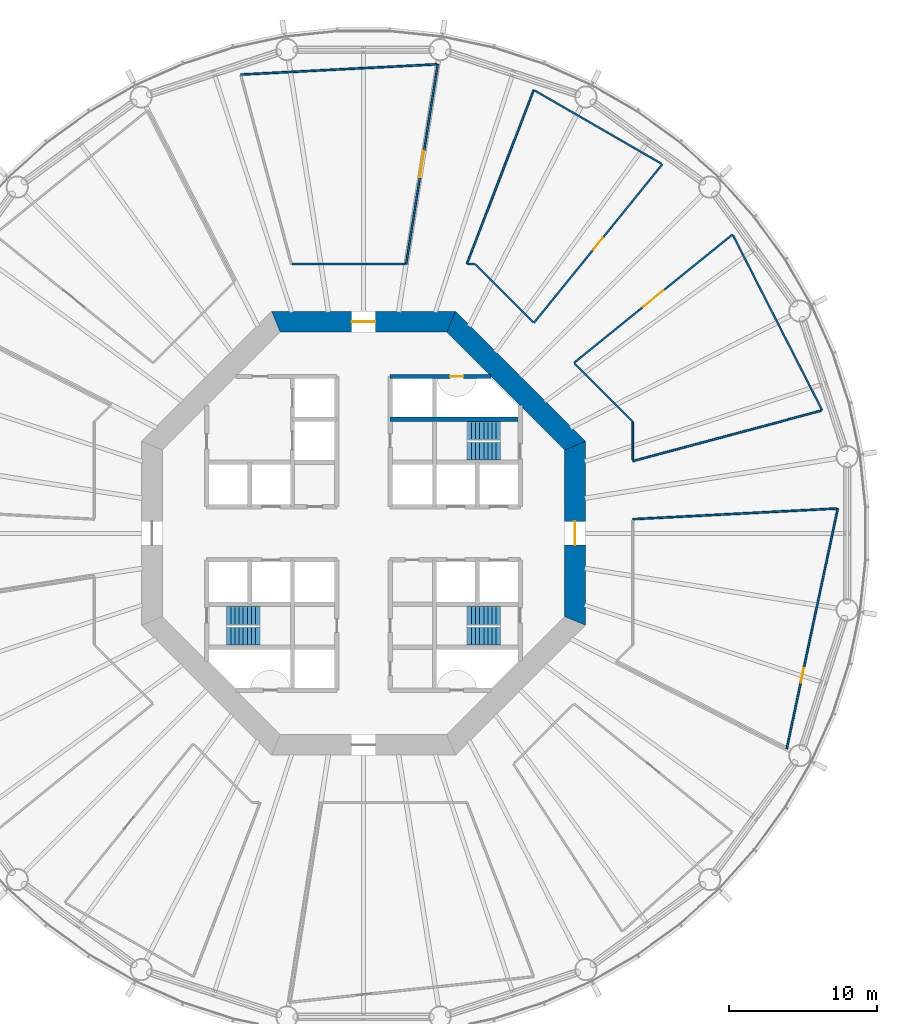
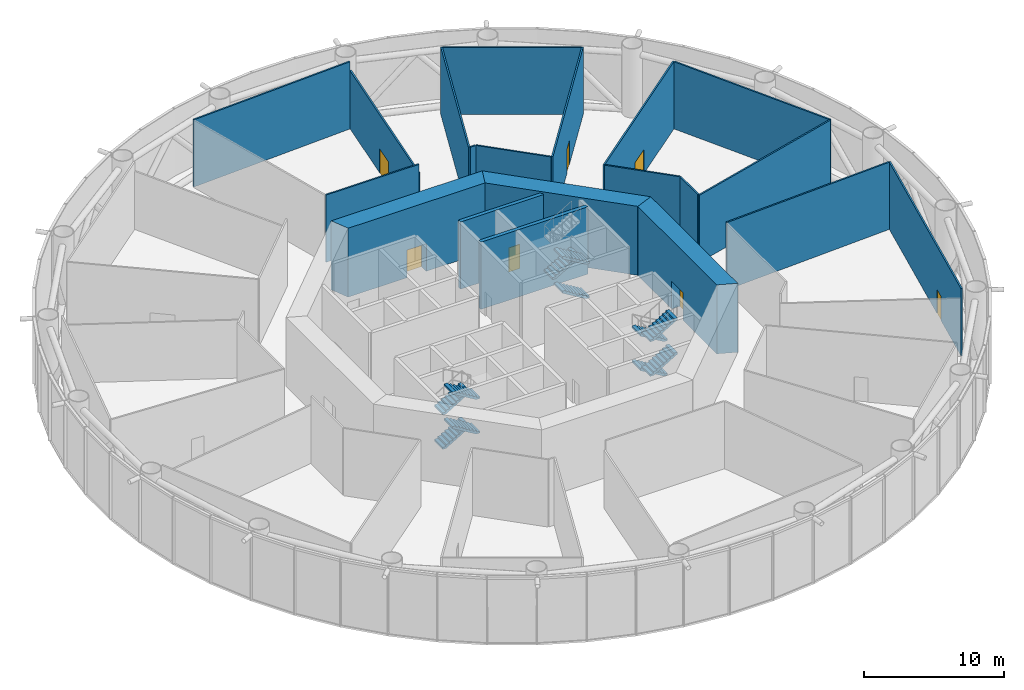
# One storey, part 6 of 14: 20 walls, 11 stair flights, 7 doors, 7 openings, 3 elements without a shape of their own.
"""IFC4 building model written with IfcOpenShell, lengths in metres."""

from ifc_helpers import new_model, si_unit, direction, frame, frame_2d, origin, place, context, subcontext, project, spatial, polyline, rectangle, outline, extrude, material, layer, layer_set, type_object, element, fill, aggregate, save


model = new_model("IFC4")

# Units and contexts
model_context = context("Model", 3, precision=1e-05, world=origin(), true_north=direction((0.0, 1.0)))
body_context = subcontext(model_context, "Body", "Model", "MODEL_VIEW")
ifc_project = project(units=[si_unit("LENGTHUNIT", "METRE"), si_unit("AREAUNIT", "SQUARE_METRE"), si_unit("VOLUMEUNIT", "CUBIC_METRE"), si_unit("PLANEANGLEUNIT", "RADIAN"), si_unit("MASSUNIT", "GRAM", prefix="KILO")], contexts=[model_context])

# Site, building, storey
site_placement = place(None, origin())
site = spatial("IfcSite", under=ifc_project, at=site_placement, CompositionType="ELEMENT")
building_placement = place(site_placement, origin())
building = spatial("IfcBuilding", under=site, at=building_placement, Name="Entoto Ring Tower", CompositionType="ELEMENT")
storey_placement = place(building_placement, frame((0.0, 0.0, 12.0)))
storey = spatial("IfcBuildingStorey", under=building, at=storey_placement, Name="L01", CompositionType="ELEMENT", Elevation=12.0)

# Wall
ifc_material_1 = material(Name="Concrete C40/50", Category="concrete")
ifc_layer_1 = layer(ifc_material_1, 0.300048828125)
ifc_layer_set_1 = layer_set([ifc_layer_1], Name="Concrete C40/50")
wall_type_1 = type_object("IfcWallType", Name="Core enclosure wall 300 mm reinforced concrete", PredefinedType="SOLIDWALL", material=ifc_layer_set_1)
wall_1_placement = place(storey_placement, frame((91.800048828125, 87.699951171875, 0.0), z_axis=(0.0, 0.0, 1.0), x_axis=(1.0, 0.0, 0.0)))
element("IfcWall", 1, at=wall_1_placement, inside=storey, type_object=wall_type_1, Name="wall-L01-030", PredefinedType="SOLIDWALL", context=body_context, shape_type="SweptSolid", body=[
    extrude(rectangle(XDim=8.800048828125, YDim=0.300048828125, at=frame_2d((4.39990234375, 0.0))), origin(), (0.0, 0.0, 1.0), 5.85009765625),
])

# Wall, opening, door
wall_2_placement = place(storey_placement, frame((91.800048828125, 90.60009765625, 0.0), z_axis=(0.0, 0.0, 1.0), x_axis=(1.0, 0.0, 0.0)))
wall_2 = element("IfcWall", 2, at=wall_2_placement, inside=storey, type_object=wall_type_1, Name="wall-L01-032", PredefinedType="SOLIDWALL", context=body_context, shape_type="SweptSolid", body=[
    extrude(rectangle(XDim=6.833251953125, YDim=0.300048828125, at=frame_2d((3.41650390625, 0.0))), origin(), (0.0, 0.0, 1.0), 5.85009765625),
])
opening_1_placement = place(wall_2_placement, frame((4.050048828125, 0.0, 0.0)))
opening_1 = element("IfcOpeningElement", 3, at=opening_1_placement, cuts=wall_2, Name="Opening K-20", PredefinedType="OPENING", context=body_context, shape_type="SweptSolid", body=[
    extrude(rectangle(XDim=0.89990234375, YDim=2.10009765625, at=frame_2d((0.449951171875, 1.050048828125))), frame((0.0, 0.16015625, 0.0), z_axis=(0.0, -1.0, 0.0), x_axis=(1.0, 0.0, 0.0)), (0.0, 0.0, 1.0), 0.320068359375),
])
ifc_material_2 = material(Name="Steel door leaf, fire rated", Category="steel")
ifc_layer_2 = layer(ifc_material_2, 0.050048828125)
ifc_layer_set_2 = layer_set([ifc_layer_2], Name="Steel door leaf, fire rated")
door_type_1 = type_object("IfcDoorType", Name="Riser door FD60 900 x 2100 single leaf", OperationType="NOTDEFINED", PredefinedType="DOOR", material=ifc_layer_set_2)
door_1_placement = place(opening_1_placement, frame((0.89990234375, 0.0, 0.0), z_axis=(0.0, 0.0, 1.0), x_axis=(-1.0, 0.0, 0.0)))
door_1 = element("IfcDoor", 4, at=door_1_placement, inside=storey, type_object=door_type_1, Name="Door K-20", OperationType="SINGLE_SWING_LEFT", OverallHeight=2.10009765625, OverallWidth=0.89990234375, PredefinedType="DOOR", context=body_context, shape_type="SweptSolid", body=[
    extrude(rectangle(XDim=0.89990234375, YDim=2.10009765625, at=frame_2d((0.449951171875, 1.050048828125))), frame((0.0, 0.02490234375, 0.0), z_axis=(0.0, -1.0, 0.0), x_axis=(1.0, 0.0, 0.0)), (0.0, 0.0, 1.0), 0.050048828125),
])
fill(opening_1, door_1)

ifc_material_3 = material(Name="Concrete C60/75", Category="concrete")
ifc_layer_3 = layer(ifc_material_3, 1.39990234375)
ifc_layer_set_3 = layer_set([ifc_layer_3], Name="Concrete C60/75")
wall_type_2 = type_object("IfcWallType", Name="Core shear wall 1400 mm reinforced concrete C60/75", PredefinedType="SHEAR", material=ifc_layer_set_3)
wall_3_placement = place(storey_placement, frame((104.300048828125, 74.07666015625, 0.0), z_axis=(0.0, 0.0, 1.0), x_axis=(0.0, 1.0, 0.0)))
wall_3 = element("IfcWall", 5, at=wall_3_placement, inside=storey, type_object=wall_type_2, Name="wall-L01-core-0", PredefinedType="SHEAR", context=body_context, shape_type="SweptSolid", body=[
    extrude(outline(polyline([(-0.2900390625, -0.699951171875), (12.13671875, -0.699951171875), (11.556640625, 0.699951171875), (0.2900390625, 0.699951171875), (-0.2900390625, -0.699951171875)])), origin(), (0.0, 0.0, 1.0), 6.0),
])
opening_2_placement = place(wall_3_placement, frame((5.123291015625, 0.0, 0.0)))
opening_2 = element("IfcOpeningElement", 6, at=opening_2_placement, cuts=wall_3, Name="Opening K-01", PredefinedType="OPENING", context=body_context, shape_type="SweptSolid", body=[
    extrude(rectangle(XDim=1.60009765625, YDim=2.39990234375, at=frame_2d((0.800048828125, 1.199951171875))), frame((0.0, 0.7099609375, 0.0), z_axis=(0.0, -1.0, 0.0), x_axis=(1.0, 0.0, 0.0)), (0.0, 0.0, 1.0), 1.419921875),
])
ifc_material_4 = material(Name="Steel door leaf, fire rated", Category="steel")
ifc_layer_4 = layer(ifc_material_4, 0.050048828125)
ifc_layer_set_4 = layer_set([ifc_layer_4], Name="Steel door leaf, fire rated")
door_type_2 = type_object("IfcDoorType", Name="Entrance door FD60 1600 x 2400 double leaf", OperationType="DOUBLE_DOOR_SINGLE_SWING", PredefinedType="DOOR", material=ifc_layer_set_4)
door_2_placement = place(opening_2_placement, origin())
door_2 = element("IfcDoor", 7, at=door_2_placement, inside=storey, type_object=door_type_2, Name="Entrance door K-01", OperationType="DOUBLE_DOOR_SINGLE_SWING", OverallHeight=2.39990234375, OverallWidth=1.60009765625, PredefinedType="DOOR", context=body_context, shape_type="SweptSolid", body=[
    extrude(rectangle(XDim=1.60009765625, YDim=2.39990234375, at=frame_2d((0.800048828125, 1.199951171875))), frame((0.0, 0.02490234375, 0.0), z_axis=(0.0, -1.0, 0.0), x_axis=(1.0, 0.0, 0.0)), (0.0, 0.0, 1.0), 0.050048828125),
])
fill(opening_2, door_2)

# Wall
wall_4_placement = place(storey_placement, frame((104.300048828125, 85.92333984375, 0.0), z_axis=(0.0, 0.0, 1.0), x_axis=(-0.707106781187, 0.707106781187, 0.0)))
element("IfcWall", 8, at=wall_4_placement, inside=storey, type_object=wall_type_2, Name="wall-L01-core-1", PredefinedType="SHEAR", context=body_context, shape_type="SweptSolid", body=[
    extrude(outline(polyline([(-0.2900390625, -0.699951171875), (12.136474609375, -0.699951171875), (11.556396484375, 0.699951171875), (0.2900390625, 0.699951171875), (-0.2900390625, -0.699951171875)])), origin(), (0.0, 0.0, 1.0), 6.0),
])

# Wall, opening, door
wall_5_placement = place(storey_placement, frame((95.92333984375, 94.300048828125, 0.0), z_axis=(0.0, 0.0, 1.0), x_axis=(-1.0, 0.0, 0.0)))
wall_5 = element("IfcWall", 9, at=wall_5_placement, inside=storey, type_object=wall_type_2, Name="wall-L01-core-2", PredefinedType="SHEAR", context=body_context, shape_type="SweptSolid", body=[
    extrude(outline(polyline([(-0.2900390625, -0.699951171875), (12.13671875, -0.699951171875), (11.556640625, 0.699951171875), (0.2900390625, 0.699951171875), (-0.2900390625, -0.699951171875)])), origin(), (0.0, 0.0, 1.0), 6.0),
])
opening_3_placement = place(wall_5_placement, frame((5.123291015625, 0.0, 0.0)))
opening_3 = element("IfcOpeningElement", 10, at=opening_3_placement, cuts=wall_5, Name="Opening K-02", PredefinedType="OPENING", context=body_context, shape_type="SweptSolid", body=[
    extrude(rectangle(XDim=1.60009765625, YDim=2.39990234375, at=frame_2d((0.800048828125, 1.199951171875))), frame((0.0, 0.7099609375, 0.0), z_axis=(0.0, -1.0, 0.0), x_axis=(1.0, 0.0, 0.0)), (0.0, 0.0, 1.0), 1.419921875),
])
door_3_placement = place(opening_3_placement, origin())
door_3 = element("IfcDoor", 11, at=door_3_placement, inside=storey, type_object=door_type_2, Name="Entrance door K-02", OperationType="DOUBLE_DOOR_SINGLE_SWING", OverallHeight=2.39990234375, OverallWidth=1.60009765625, PredefinedType="DOOR", context=body_context, shape_type="SweptSolid", body=[
    extrude(rectangle(XDim=1.60009765625, YDim=2.39990234375, at=frame_2d((0.800048828125, 1.199951171875))), frame((0.0, 0.02490234375, 0.0), z_axis=(0.0, -1.0, 0.0), x_axis=(1.0, 0.0, 0.0)), (0.0, 0.0, 1.0), 0.050048828125),
])
fill(opening_3, door_3)

ifc_material_5 = material(Name="Fire-resisting plasterboard on steel studs", Category="steel")
ifc_layer_5 = layer(ifc_material_5, 0.125)
ifc_layer_set_5 = layer_set([ifc_layer_5], Name="Fire-resisting plasterboard on steel studs")
wall_type_3 = type_object("IfcWallType", Name="Corridor wall 125 mm one-hour plasterboard on steel studs", PredefinedType="PARTITIONING", material=ifc_layer_set_5)
wall_6_placement = place(storey_placement, frame((118.601318359375, 65.427001953125, 0.0), z_axis=(0.0, 0.0, 1.0), x_axis=(0.207907256608, 0.978148543244, 0.0)))
wall_6 = element("IfcWall", 12, at=wall_6_placement, inside=storey, type_object=wall_type_3, Name="partition-L01-002", PredefinedType="PARTITIONING", context=body_context, shape_type="SweptSolid", body=[
    extrude(rectangle(XDim=16.615966796875, YDim=0.125, at=frame_2d((8.30810546875, 0.0))), origin(), (0.0, 0.0, 1.0), 5.85009765625),
])
opening_4_placement = place(wall_6_placement, frame((4.5888671875, 0.0, 0.0)))
opening_4 = element("IfcOpeningElement", 13, at=opening_4_placement, cuts=wall_6, Name="Opening A01-D10", PredefinedType="OPENING", context=body_context, shape_type="SweptSolid", body=[
    extrude(rectangle(XDim=1.0, YDim=2.10009765625, at=frame_2d((0.5, 1.050048828125))), frame((0.0, 0.072509765625, 0.0), z_axis=(0.0, -1.0, 0.0), x_axis=(1.0, 0.0, 0.0)), (0.0, 0.0, 1.0), 0.14501953125),
])
ifc_material_6 = material(Name="Fire-resisting timber door set", Category="wood")
door_type_3 = type_object("IfcDoorType", Name="Door 1000 x 2100 single leaf FD30S fire door", OperationType="NOTDEFINED", PredefinedType="DOOR", material=ifc_material_6)
door_4_placement = place(opening_4_placement, origin())
door_4 = element("IfcDoor", 14, at=door_4_placement, inside=storey, type_object=door_type_3, Name="Door A01-D10", OperationType="SINGLE_SWING_LEFT", OverallHeight=2.10009765625, OverallWidth=1.0, PredefinedType="DOOR", context=body_context, shape_type="SweptSolid", body=[
    extrude(rectangle(XDim=1.0, YDim=2.10009765625, at=frame_2d((0.5, 1.050048828125))), frame((0.0, 0.02490234375, 0.0), z_axis=(0.0, -1.0, 0.0), x_axis=(1.0, 0.0, 0.0)), (0.0, 0.0, 1.0), 0.050048828125),
])
fill(opening_4, door_4)

# Wall
wall_7_placement = place(storey_placement, frame((108.199951171875, 80.953857421875, 0.0), z_axis=(0.0, 0.0, 1.0), x_axis=(0.998629490096, 0.052336808376, 0.0)))
element("IfcWall", 15, at=wall_7_placement, inside=storey, type_object=wall_type_3, Name="partition-L01-005", PredefinedType="PARTITIONING", context=body_context, shape_type="SweptSolid", body=[
    extrude(rectangle(XDim=13.793701171875, YDim=0.125, at=frame_2d((6.89697265625, 0.0))), origin(), (0.0, 0.0, 1.0), 5.85009765625),
])

# Wall, opening, door
wall_8_placement = place(storey_placement, frame((101.5166015625, 94.221923828125, 0.0), z_axis=(0.0, 0.0, 1.0), x_axis=(0.629326981236, 0.777140624783, 0.0)))
wall_8 = element("IfcWall", 16, at=wall_8_placement, inside=storey, type_object=wall_type_3, Name="partition-L01-009", PredefinedType="PARTITIONING", context=body_context, shape_type="SweptSolid", body=[
    extrude(rectangle(XDim=13.7998046875, YDim=0.125, at=frame_2d((6.89990234375, 0.0))), origin(), (0.0, 0.0, 1.0), 5.85009765625),
])
opening_5_placement = place(wall_8_placement, frame((6.39990234375, 0.0, 0.0)))
opening_5 = element("IfcOpeningElement", 17, at=opening_5_placement, cuts=wall_8, Name="Opening A01-D02", PredefinedType="OPENING", context=body_context, shape_type="SweptSolid", body=[
    extrude(rectangle(XDim=1.0, YDim=2.10009765625, at=frame_2d((0.5, 1.050048828125))), frame((0.0, 0.072509765625, 0.0), z_axis=(0.0, -1.0, 0.0), x_axis=(1.0, 0.0, 0.0)), (0.0, 0.0, 1.0), 0.14501953125),
])
door_5_placement = place(opening_5_placement, frame((1.0, 0.0, 0.0), z_axis=(0.0, 0.0, 1.0), x_axis=(-1.0, 0.0, 0.0)))
door_5 = element("IfcDoor", 18, at=door_5_placement, inside=storey, type_object=door_type_3, Name="Door A01-D02", OperationType="SINGLE_SWING_LEFT", OverallHeight=2.10009765625, OverallWidth=1.0, PredefinedType="DOOR", context=body_context, shape_type="SweptSolid", body=[
    extrude(rectangle(XDim=1.0, YDim=2.10009765625, at=frame_2d((0.5, 1.050048828125))), frame((0.0, 0.02490234375, 0.0), z_axis=(0.0, -1.0, 0.0), x_axis=(1.0, 0.0, 0.0)), (0.0, 0.0, 1.0), 0.050048828125),
])
fill(opening_5, door_5)

wall_9_placement = place(storey_placement, frame((104.221923828125, 91.5166015625, 0.0), z_axis=(0.0, 0.0, 1.0), x_axis=(0.777140624783, 0.629326981236, 0.0)))
wall_9 = element("IfcWall", 19, at=wall_9_placement, inside=storey, type_object=wall_type_3, Name="partition-L01-010", PredefinedType="PARTITIONING", context=body_context, shape_type="SweptSolid", body=[
    extrude(rectangle(XDim=13.7998046875, YDim=0.125, at=frame_2d((6.89990234375, 0.0))), origin(), (0.0, 0.0, 1.0), 5.85009765625),
])
opening_6_placement = place(wall_9_placement, frame((6.0, 0.0, 0.0)))
opening_6 = element("IfcOpeningElement", 20, at=opening_6_placement, cuts=wall_9, Name="Opening A01-D01", PredefinedType="OPENING", context=body_context, shape_type="SweptSolid", body=[
    extrude(rectangle(XDim=1.800048828125, YDim=2.10009765625, at=frame_2d((0.89990234375, 1.050048828125))), frame((0.0, 0.072509765625, 0.0), z_axis=(0.0, -1.0, 0.0), x_axis=(1.0, 0.0, 0.0)), (0.0, 0.0, 1.0), 0.14501953125),
])
ifc_material_7 = material(Name="Fire-resisting timber door set", Category="wood")
door_type_4 = type_object("IfcDoorType", Name="Door 1800 x 2100 double leaf FD30S fire door", OperationType="DOUBLE_DOOR_SINGLE_SWING", PredefinedType="DOOR", material=ifc_material_7)
door_6_placement = place(opening_6_placement, origin())
door_6 = element("IfcDoor", 21, at=door_6_placement, inside=storey, type_object=door_type_4, Name="Door A01-D01", OperationType="DOUBLE_DOOR_SINGLE_SWING", OverallHeight=2.10009765625, OverallWidth=1.800048828125, PredefinedType="DOOR", context=body_context, shape_type="SweptSolid", body=[
    extrude(rectangle(XDim=1.800048828125, YDim=2.10009765625, at=frame_2d((0.89990234375, 1.050048828125))), frame((0.0, 0.02490234375, 0.0), z_axis=(0.0, -1.0, 0.0), x_axis=(1.0, 0.0, 0.0)), (0.0, 0.0, 1.0), 0.050048828125),
])
fill(opening_6, door_6)

# Walls
wall_10_placement = place(storey_placement, frame((121.006103515625, 88.30810546875, 0.0), z_axis=(0.0, 0.0, 1.0), x_axis=(-0.453978142394, 0.891012820463, 0.0)))
element("IfcWall", 22, at=wall_10_placement, inside=storey, type_object=wall_type_3, Name="partition-L01-016", PredefinedType="PARTITIONING", context=body_context, shape_type="SweptSolid", body=[
    extrude(rectangle(XDim=13.270751953125, YDim=0.125, at=frame_2d((6.63525390625, 0.0))), origin(), (0.0, 0.0, 1.0), 5.85009765625),
])
wall_11_placement = place(storey_placement, frame((81.69189453125, 111.006103515625, 0.0), z_axis=(0.0, 0.0, 1.0), x_axis=(0.998629391953, 0.052338680989, 0.0)))
element("IfcWall", 23, at=wall_11_placement, inside=storey, type_object=wall_type_3, Name="partition-L01-018", PredefinedType="PARTITIONING", context=body_context, shape_type="SweptSolid", body=[
    extrude(rectangle(XDim=13.27099609375, YDim=0.125, at=frame_2d((6.635498046875, 0.0))), origin(), (0.0, 0.0, 1.0), 5.85009765625),
])
wall_12_placement = place(storey_placement, frame((108.199951171875, 84.876708984375, 0.0), z_axis=(0.0, 0.0, 1.0), x_axis=(0.965928374817, 0.258809533678, 0.0)))
element("IfcWall", 24, at=wall_12_placement, inside=storey, type_object=wall_type_3, Name="partition-L01-021", PredefinedType="PARTITIONING", context=body_context, shape_type="SweptSolid", body=[
    extrude(rectangle(XDim=13.18115234375, YDim=0.125, at=frame_2d((6.590576171875, 0.0))), origin(), (0.0, 0.0, 1.0), 5.85009765625),
])
wall_13_placement = place(storey_placement, frame((96.986328125, 98.199951171875, 0.0), z_axis=(0.0, 0.0, 1.0), x_axis=(0.358367709556, 0.93358051862, 0.0)))
element("IfcWall", 25, at=wall_13_placement, inside=storey, type_object=wall_type_3, Name="partition-L01-026", PredefinedType="PARTITIONING", context=body_context, shape_type="SweptSolid", body=[
    extrude(rectangle(XDim=12.605224609375, YDim=0.125, at=frame_2d((6.302734375, 0.0))), origin(), (0.0, 0.0, 1.0), 5.85009765625),
])
wall_14_placement = place(storey_placement, frame((110.137939453125, 104.98291015625, 0.0), z_axis=(0.0, 0.0, 1.0), x_axis=(-0.86602578726, 0.499999335801, 0.0)))
element("IfcWall", 26, at=wall_14_placement, inside=storey, type_object=wall_type_3, Name="partition-L01-029", PredefinedType="PARTITIONING", context=body_context, shape_type="SweptSolid", body=[
    extrude(rectangle(XDim=9.89697265625, YDim=0.125, at=frame_2d((4.948486328125, 0.0))), origin(), (0.0, 0.0, 1.0), 5.85009765625),
])
wall_15_placement = place(storey_placement, frame((85.18359375, 98.199951171875, 0.0), z_axis=(0.0, 0.0, 1.0), x_axis=(1.0, 0.0, 0.0)))
element("IfcWall", 27, at=wall_15_placement, inside=storey, type_object=wall_type_3, Name="partition-L01-034", PredefinedType="PARTITIONING", context=body_context, shape_type="SweptSolid", body=[
    extrude(rectangle(XDim=7.63720703125, YDim=0.125, at=frame_2d((3.818603515625, 0.0))), origin(), (0.0, 0.0, 1.0), 5.85009765625),
])
for number, where, z_axis, x_axis, name in (
    (28, (101.4677734375, 94.27099609375, 0.0), (0.0, 0.0, 1.0), (-0.707106781187, 0.707106781187, 0.0), "partition-L01-039"),
    (29, (108.199951171875, 87.538818359375, 0.0), (0.0, 0.0, 1.0), (-0.707106781187, 0.707106781187, 0.0), "partition-L01-040"),
):
    element("IfcWall", number, at=place(storey_placement, frame(where, z_axis=z_axis, x_axis=x_axis)), inside=storey, type_object=wall_type_3, Name=name, PredefinedType="PARTITIONING", context=body_context, shape_type="SweptSolid", body=[
        extrude(rectangle(XDim=5.556396484375, YDim=0.125, at=frame_2d((2.7783203125, 0.0))), origin(), (0.0, 0.0, 1.0), 5.85009765625),
    ])
wall_16_placement = place(storey_placement, frame((108.199951171875, 84.9580078125, 0.0), z_axis=(0.0, 0.0, 1.0), x_axis=(0.0, 1.0, 0.0)))
element("IfcWall", 30, at=wall_16_placement, inside=storey, type_object=wall_type_3, Name="partition-L01-042", PredefinedType="PARTITIONING", context=body_context, shape_type="SweptSolid", body=[
    extrude(rectangle(XDim=2.53662109375, YDim=0.125, at=frame_2d((1.268310546875, 0.0))), origin(), (0.0, 0.0, 1.0), 5.85009765625),
])
wall_17_placement = place(storey_placement, frame((97.0771484375, 98.199951171875, 0.0), z_axis=(0.0, 0.0, 1.0), x_axis=(1.0, 0.0, 0.0)))
element("IfcWall", 31, at=wall_17_placement, inside=storey, type_object=wall_type_3, Name="partition-L01-046", PredefinedType="PARTITIONING", context=body_context, shape_type="SweptSolid", body=[
    extrude(rectangle(XDim=0.41748046875, YDim=0.125, at=frame_2d((0.208740234375, 0.0))), origin(), (0.0, 0.0, 1.0), 5.85009765625),
])

# Wall, opening, door
ifc_material_8 = material(Name="Fire-resisting plasterboard on steel studs", Category="steel")
ifc_layer_6 = layer(ifc_material_8, 0.125)
ifc_layer_set_6 = layer_set([ifc_layer_6], Name="Fire-resisting plasterboard on steel studs")
wall_type_4 = type_object("IfcWallType", Name="Corridor wall 125 mm one-hour plasterboard on steel studs, 5050 mm high", PredefinedType="PARTITIONING", material=ifc_layer_set_6)
wall_18_placement = place(storey_placement, frame((92.882568359375, 98.199951171875, 0.0), z_axis=(0.0, 0.0, 1.0), x_axis=(0.15643109107, 0.987688874974, 0.0)))
wall_18 = element("IfcWall", 32, at=wall_18_placement, inside=storey, type_object=wall_type_4, Name="partition-L01-014", PredefinedType="PARTITIONING", context=body_context, shape_type="SweptSolid", body=[
    extrude(rectangle(XDim=13.673095703125, YDim=0.125, at=frame_2d((6.83642578125, 0.0))), origin(), (0.0, 0.0, 1.0), 5.050048828125),
])
opening_7_placement = place(wall_18_placement, frame((5.9365234375, 0.0, 0.0)))
opening_7 = element("IfcOpeningElement", 33, at=opening_7_placement, cuts=wall_18, Name="Opening A01-D03", PredefinedType="OPENING", context=body_context, shape_type="SweptSolid", body=[
    extrude(rectangle(XDim=1.800048828125, YDim=2.10009765625, at=frame_2d((0.89990234375, 1.050048828125))), frame((0.0, 0.072509765625, 0.0), z_axis=(0.0, -1.0, 0.0), x_axis=(1.0, 0.0, 0.0)), (0.0, 0.0, 1.0), 0.14501953125),
])
door_7_placement = place(opening_7_placement, origin())
door_7 = element("IfcDoor", 34, at=door_7_placement, inside=storey, type_object=door_type_4, Name="Door A01-D03", OperationType="DOUBLE_DOOR_SINGLE_SWING", OverallHeight=2.10009765625, OverallWidth=1.800048828125, PredefinedType="DOOR", context=body_context, shape_type="SweptSolid", body=[
    extrude(rectangle(XDim=1.800048828125, YDim=2.10009765625, at=frame_2d((0.89990234375, 1.050048828125))), frame((0.0, 0.02490234375, 0.0), z_axis=(0.0, -1.0, 0.0), x_axis=(1.0, 0.0, 0.0)), (0.0, 0.0, 1.0), 0.050048828125),
])
fill(opening_7, door_7)

# Stair, stair flights
ifc_material_9 = material(Name="Concrete C40/50", Category="concrete")
stair_type = type_object("IfcStairType", Name="Exit stair 1200 mm dog-leg reinforced concrete", PredefinedType="HALF_TURN_STAIR", material=ifc_material_9)
stair_1_placement = place(storey_placement, origin())
stair_1 = element("IfcStair", 35, at=stair_1_placement, inside=storey, type_object=stair_type, Name="Exit stair 1", PredefinedType="HALF_TURN_STAIR")
ifc_material_10 = material(Name="Concrete C40/50", Category="concrete")
stair_flight_type = type_object("IfcStairFlightType", Name="Stair flight 1200 mm reinforced concrete", PredefinedType="STRAIGHT", material=ifc_material_10)
stair_flight_1_placement = place(storey_placement, frame((99.25, 85.550048828125, 0.0), z_axis=(0.0, 0.0, 1.0), x_axis=(-1.0, 0.0, 0.0)))
stair_flight_1 = element("IfcStairFlight", 36, at=stair_flight_1_placement, type_object=stair_flight_type, Name="ST1 flight 1", NumberOfRisers=9, NumberOfTreads=8, PredefinedType="STRAIGHT", RiserHeight=0.166666667, TreadLength=0.28, context=body_context, shape_type="SweptSolid", body=[
    extrude(outline(polyline([(0.0, 0.0), (0.0, 0.166748046875), (0.280029296875, 0.166748046875), (0.280029296875, 0.333251953125), (0.56005859375, 0.333251953125), (0.56005859375, 0.5), (0.840087890625, 0.5), (0.840087890625, 0.666748046875), (1.1201171875, 0.666748046875), (1.1201171875, 0.833251953125), (1.39990234375, 0.833251953125), (1.39990234375, 1.0), (1.679931640625, 1.0), (1.679931640625, 1.166748046875), (1.9599609375, 1.166748046875), (1.9599609375, 1.333251953125), (2.239990234375, 1.333251953125), (2.239990234375, 1.5), (2.239990234375, 1.158935546875), (0.29296875, 0.0), (0.0, 0.0)])), frame((0.0, 0.60009765625, 0.0), z_axis=(0.0, -1.0, 0.0), x_axis=(1.0, 0.0, 0.0)), (0.0, 0.0, 1.0), 1.199951171875),
])
stair_flight_2_placement = place(storey_placement, frame((97.010009765625, 86.949951171875, 1.5), z_axis=(0.0, 0.0, 1.0), x_axis=(1.0, 0.0, 0.0)))
stair_flight_2 = element("IfcStairFlight", 37, at=stair_flight_2_placement, type_object=stair_flight_type, Name="ST1 flight 2", NumberOfRisers=9, NumberOfTreads=8, PredefinedType="STRAIGHT", RiserHeight=0.166666667, TreadLength=0.28, context=body_context, shape_type="SweptSolid", body=[
    extrude(outline(polyline([(0.0, 0.0), (0.0, 0.166748046875), (0.280029296875, 0.166748046875), (0.280029296875, 0.333251953125), (0.56005859375, 0.333251953125), (0.56005859375, 0.5), (0.840087890625, 0.5), (0.840087890625, 0.666748046875), (1.1201171875, 0.666748046875), (1.1201171875, 0.833251953125), (1.39990234375, 0.833251953125), (1.39990234375, 1.0), (1.679931640625, 1.0), (1.679931640625, 1.166748046875), (1.9599609375, 1.166748046875), (1.9599609375, 1.333251953125), (2.239990234375, 1.333251953125), (2.239990234375, 1.5), (2.239990234375, 1.158935546875), (0.29296875, 0.0), (0.0, 0.0)])), frame((0.0, 0.60009765625, 0.0), z_axis=(0.0, -1.0, 0.0), x_axis=(1.0, 0.0, 0.0)), (0.0, 0.0, 1.0), 1.199951171875),
])
stair_flight_3_placement = place(storey_placement, frame((99.25, 85.550048828125, 3.0), z_axis=(0.0, 0.0, 1.0), x_axis=(-1.0, 0.0, 0.0)))
stair_flight_3 = element("IfcStairFlight", 38, at=stair_flight_3_placement, type_object=stair_flight_type, Name="ST1 flight 3", NumberOfRisers=9, NumberOfTreads=8, PredefinedType="STRAIGHT", RiserHeight=0.166666667, TreadLength=0.28, context=body_context, shape_type="SweptSolid", body=[
    extrude(outline(polyline([(0.0, 0.0), (0.0, 0.166748046875), (0.280029296875, 0.166748046875), (0.280029296875, 0.333251953125), (0.56005859375, 0.333251953125), (0.56005859375, 0.5), (0.840087890625, 0.5), (0.840087890625, 0.666748046875), (1.1201171875, 0.666748046875), (1.1201171875, 0.833251953125), (1.39990234375, 0.833251953125), (1.39990234375, 1.0), (1.679931640625, 1.0), (1.679931640625, 1.166748046875), (1.9599609375, 1.166748046875), (1.9599609375, 1.333251953125), (2.239990234375, 1.333251953125), (2.239990234375, 1.5), (2.239990234375, 1.158935546875), (0.29296875, 0.0), (0.0, 0.0)])), frame((0.0, 0.60009765625, 0.0), z_axis=(0.0, -1.0, 0.0), x_axis=(1.0, 0.0, 0.0)), (0.0, 0.0, 1.0), 1.199951171875),
])
aggregate(stair_1, [stair_flight_1, stair_flight_2, stair_flight_3])

stair_2_placement = place(storey_placement, origin())
stair_2 = element("IfcStair", 39, at=stair_2_placement, inside=storey, type_object=stair_type, Name="Exit stair 2", PredefinedType="HALF_TURN_STAIR")
stair_flight_4_placement = place(storey_placement, frame((80.75, 74.449951171875, 0.0), z_axis=(0.0, 0.0, 1.0), x_axis=(1.0, 0.0, 0.0)))
stair_flight_4 = element("IfcStairFlight", 40, at=stair_flight_4_placement, type_object=stair_flight_type, Name="ST2 flight 1", NumberOfRisers=9, NumberOfTreads=8, PredefinedType="STRAIGHT", RiserHeight=0.166666667, TreadLength=0.28, context=body_context, shape_type="SweptSolid", body=[
    extrude(outline(polyline([(0.0, 0.0), (0.0, 0.166748046875), (0.280029296875, 0.166748046875), (0.280029296875, 0.333251953125), (0.56005859375, 0.333251953125), (0.56005859375, 0.5), (0.840087890625, 0.5), (0.840087890625, 0.666748046875), (1.1201171875, 0.666748046875), (1.1201171875, 0.833251953125), (1.39990234375, 0.833251953125), (1.39990234375, 1.0), (1.679931640625, 1.0), (1.679931640625, 1.166748046875), (1.9599609375, 1.166748046875), (1.9599609375, 1.333251953125), (2.239990234375, 1.333251953125), (2.239990234375, 1.5), (2.239990234375, 1.158935546875), (0.29296875, 0.0), (0.0, 0.0)])), frame((0.0, 0.60009765625, 0.0), z_axis=(0.0, -1.0, 0.0), x_axis=(1.0, 0.0, 0.0)), (0.0, 0.0, 1.0), 1.199951171875),
])
stair_flight_5_placement = place(storey_placement, frame((82.989990234375, 73.050048828125, 1.5), z_axis=(0.0, 0.0, 1.0), x_axis=(-1.0, 0.0, 0.0)))
stair_flight_5 = element("IfcStairFlight", 41, at=stair_flight_5_placement, type_object=stair_flight_type, Name="ST2 flight 2", NumberOfRisers=9, NumberOfTreads=8, PredefinedType="STRAIGHT", RiserHeight=0.166666667, TreadLength=0.28, context=body_context, shape_type="SweptSolid", body=[
    extrude(outline(polyline([(0.0, 0.0), (0.0, 0.166748046875), (0.280029296875, 0.166748046875), (0.280029296875, 0.333251953125), (0.56005859375, 0.333251953125), (0.56005859375, 0.5), (0.840087890625, 0.5), (0.840087890625, 0.666748046875), (1.1201171875, 0.666748046875), (1.1201171875, 0.833251953125), (1.39990234375, 0.833251953125), (1.39990234375, 1.0), (1.679931640625, 1.0), (1.679931640625, 1.166748046875), (1.9599609375, 1.166748046875), (1.9599609375, 1.333251953125), (2.239990234375, 1.333251953125), (2.239990234375, 1.5), (2.239990234375, 1.158935546875), (0.29296875, 0.0), (0.0, 0.0)])), frame((0.0, 0.60009765625, 0.0), z_axis=(0.0, -1.0, 0.0), x_axis=(1.0, 0.0, 0.0)), (0.0, 0.0, 1.0), 1.199951171875),
])
stair_flight_6_placement = place(storey_placement, frame((80.75, 74.449951171875, 3.0), z_axis=(0.0, 0.0, 1.0), x_axis=(1.0, 0.0, 0.0)))
stair_flight_6 = element("IfcStairFlight", 42, at=stair_flight_6_placement, type_object=stair_flight_type, Name="ST2 flight 3", NumberOfRisers=9, NumberOfTreads=8, PredefinedType="STRAIGHT", RiserHeight=0.166666667, TreadLength=0.28, context=body_context, shape_type="SweptSolid", body=[
    extrude(outline(polyline([(0.0, 0.0), (0.0, 0.166748046875), (0.280029296875, 0.166748046875), (0.280029296875, 0.333251953125), (0.56005859375, 0.333251953125), (0.56005859375, 0.5), (0.840087890625, 0.5), (0.840087890625, 0.666748046875), (1.1201171875, 0.666748046875), (1.1201171875, 0.833251953125), (1.39990234375, 0.833251953125), (1.39990234375, 1.0), (1.679931640625, 1.0), (1.679931640625, 1.166748046875), (1.9599609375, 1.166748046875), (1.9599609375, 1.333251953125), (2.239990234375, 1.333251953125), (2.239990234375, 1.5), (2.239990234375, 1.158935546875), (0.29296875, 0.0), (0.0, 0.0)])), frame((0.0, 0.60009765625, 0.0), z_axis=(0.0, -1.0, 0.0), x_axis=(1.0, 0.0, 0.0)), (0.0, 0.0, 1.0), 1.199951171875),
])
stair_flight_7_placement = place(storey_placement, frame((82.989990234375, 73.050048828125, 4.5), z_axis=(0.0, 0.0, 1.0), x_axis=(-1.0, 0.0, 0.0)))
stair_flight_7 = element("IfcStairFlight", 43, at=stair_flight_7_placement, type_object=stair_flight_type, Name="ST2 flight 4", NumberOfRisers=9, NumberOfTreads=8, PredefinedType="STRAIGHT", RiserHeight=0.166666667, TreadLength=0.28, context=body_context, shape_type="SweptSolid", body=[
    extrude(outline(polyline([(0.0, 0.0), (0.0, 0.166748046875), (0.280029296875, 0.166748046875), (0.280029296875, 0.333251953125), (0.56005859375, 0.333251953125), (0.56005859375, 0.5), (0.840087890625, 0.5), (0.840087890625, 0.666748046875), (1.1201171875, 0.666748046875), (1.1201171875, 0.833251953125), (1.39990234375, 0.833251953125), (1.39990234375, 1.0), (1.679931640625, 1.0), (1.679931640625, 1.166748046875), (1.9599609375, 1.166748046875), (1.9599609375, 1.333251953125), (2.239990234375, 1.333251953125), (2.239990234375, 1.5), (2.239990234375, 1.158935546875), (0.29296875, 0.0), (0.0, 0.0)])), frame((0.0, 0.60009765625, 0.0), z_axis=(0.0, -1.0, 0.0), x_axis=(1.0, 0.0, 0.0)), (0.0, 0.0, 1.0), 1.199951171875),
])
aggregate(stair_2, [stair_flight_4, stair_flight_5, stair_flight_6, stair_flight_7])

stair_3_placement = place(storey_placement, origin())
stair_3 = element("IfcStair", 44, at=stair_3_placement, inside=storey, type_object=stair_type, Name="Exit stair 3", PredefinedType="HALF_TURN_STAIR")
stair_flight_8_placement = place(storey_placement, frame((99.25, 74.449951171875, 0.0), z_axis=(0.0, 0.0, 1.0), x_axis=(-1.0, 0.0, 0.0)))
stair_flight_8 = element("IfcStairFlight", 45, at=stair_flight_8_placement, type_object=stair_flight_type, Name="ST3 flight 1", NumberOfRisers=9, NumberOfTreads=8, PredefinedType="STRAIGHT", RiserHeight=0.166666667, TreadLength=0.28, context=body_context, shape_type="SweptSolid", body=[
    extrude(outline(polyline([(0.0, 0.0), (0.0, 0.166748046875), (0.280029296875, 0.166748046875), (0.280029296875, 0.333251953125), (0.56005859375, 0.333251953125), (0.56005859375, 0.5), (0.840087890625, 0.5), (0.840087890625, 0.666748046875), (1.1201171875, 0.666748046875), (1.1201171875, 0.833251953125), (1.39990234375, 0.833251953125), (1.39990234375, 1.0), (1.679931640625, 1.0), (1.679931640625, 1.166748046875), (1.9599609375, 1.166748046875), (1.9599609375, 1.333251953125), (2.239990234375, 1.333251953125), (2.239990234375, 1.5), (2.239990234375, 1.158935546875), (0.29296875, 0.0), (0.0, 0.0)])), frame((0.0, 0.60009765625, 0.0), z_axis=(0.0, -1.0, 0.0), x_axis=(1.0, 0.0, 0.0)), (0.0, 0.0, 1.0), 1.199951171875),
])
stair_flight_9_placement = place(storey_placement, frame((97.010009765625, 73.050048828125, 1.5), z_axis=(0.0, 0.0, 1.0), x_axis=(1.0, 0.0, 0.0)))
stair_flight_9 = element("IfcStairFlight", 46, at=stair_flight_9_placement, type_object=stair_flight_type, Name="ST3 flight 2", NumberOfRisers=9, NumberOfTreads=8, PredefinedType="STRAIGHT", RiserHeight=0.166666667, TreadLength=0.28, context=body_context, shape_type="SweptSolid", body=[
    extrude(outline(polyline([(0.0, 0.0), (0.0, 0.166748046875), (0.280029296875, 0.166748046875), (0.280029296875, 0.333251953125), (0.56005859375, 0.333251953125), (0.56005859375, 0.5), (0.840087890625, 0.5), (0.840087890625, 0.666748046875), (1.1201171875, 0.666748046875), (1.1201171875, 0.833251953125), (1.39990234375, 0.833251953125), (1.39990234375, 1.0), (1.679931640625, 1.0), (1.679931640625, 1.166748046875), (1.9599609375, 1.166748046875), (1.9599609375, 1.333251953125), (2.239990234375, 1.333251953125), (2.239990234375, 1.5), (2.239990234375, 1.158935546875), (0.29296875, 0.0), (0.0, 0.0)])), frame((0.0, 0.60009765625, 0.0), z_axis=(0.0, -1.0, 0.0), x_axis=(1.0, 0.0, 0.0)), (0.0, 0.0, 1.0), 1.199951171875),
])
stair_flight_10_placement = place(storey_placement, frame((99.25, 74.449951171875, 3.0), z_axis=(0.0, 0.0, 1.0), x_axis=(-1.0, 0.0, 0.0)))
stair_flight_10 = element("IfcStairFlight", 47, at=stair_flight_10_placement, type_object=stair_flight_type, Name="ST3 flight 3", NumberOfRisers=9, NumberOfTreads=8, PredefinedType="STRAIGHT", RiserHeight=0.166666667, TreadLength=0.28, context=body_context, shape_type="SweptSolid", body=[
    extrude(outline(polyline([(0.0, 0.0), (0.0, 0.166748046875), (0.280029296875, 0.166748046875), (0.280029296875, 0.333251953125), (0.56005859375, 0.333251953125), (0.56005859375, 0.5), (0.840087890625, 0.5), (0.840087890625, 0.666748046875), (1.1201171875, 0.666748046875), (1.1201171875, 0.833251953125), (1.39990234375, 0.833251953125), (1.39990234375, 1.0), (1.679931640625, 1.0), (1.679931640625, 1.166748046875), (1.9599609375, 1.166748046875), (1.9599609375, 1.333251953125), (2.239990234375, 1.333251953125), (2.239990234375, 1.5), (2.239990234375, 1.158935546875), (0.29296875, 0.0), (0.0, 0.0)])), frame((0.0, 0.60009765625, 0.0), z_axis=(0.0, -1.0, 0.0), x_axis=(1.0, 0.0, 0.0)), (0.0, 0.0, 1.0), 1.199951171875),
])
stair_flight_11_placement = place(storey_placement, frame((97.010009765625, 73.050048828125, 4.5), z_axis=(0.0, 0.0, 1.0), x_axis=(1.0, 0.0, 0.0)))
stair_flight_11 = element("IfcStairFlight", 48, at=stair_flight_11_placement, type_object=stair_flight_type, Name="ST3 flight 4", NumberOfRisers=9, NumberOfTreads=8, PredefinedType="STRAIGHT", RiserHeight=0.166666667, TreadLength=0.28, context=body_context, shape_type="SweptSolid", body=[
    extrude(outline(polyline([(0.0, 0.0), (0.0, 0.166748046875), (0.280029296875, 0.166748046875), (0.280029296875, 0.333251953125), (0.56005859375, 0.333251953125), (0.56005859375, 0.5), (0.840087890625, 0.5), (0.840087890625, 0.666748046875), (1.1201171875, 0.666748046875), (1.1201171875, 0.833251953125), (1.39990234375, 0.833251953125), (1.39990234375, 1.0), (1.679931640625, 1.0), (1.679931640625, 1.166748046875), (1.9599609375, 1.166748046875), (1.9599609375, 1.333251953125), (2.239990234375, 1.333251953125), (2.239990234375, 1.5), (2.239990234375, 1.158935546875), (0.29296875, 0.0), (0.0, 0.0)])), frame((0.0, 0.60009765625, 0.0), z_axis=(0.0, -1.0, 0.0), x_axis=(1.0, 0.0, 0.0)), (0.0, 0.0, 1.0), 1.199951171875),
])
aggregate(stair_3, [stair_flight_8, stair_flight_9, stair_flight_10, stair_flight_11])

save(model, "model.ifc")
